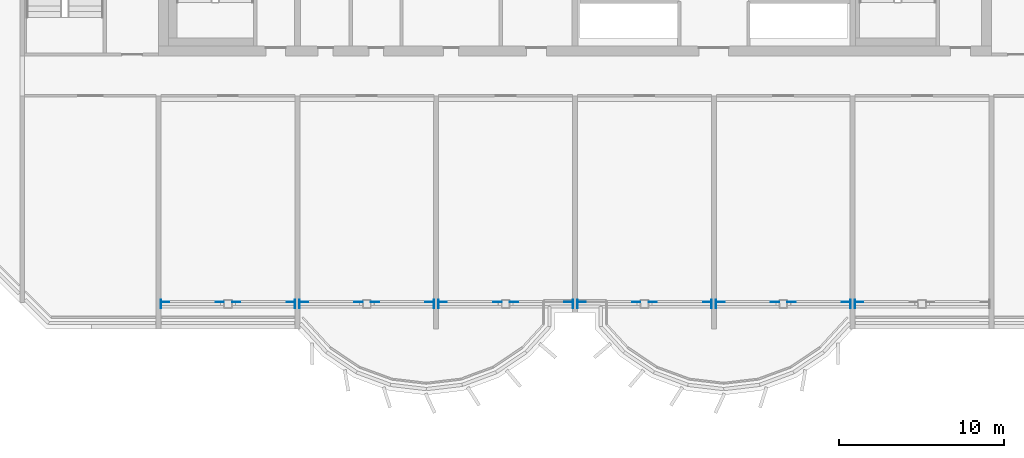
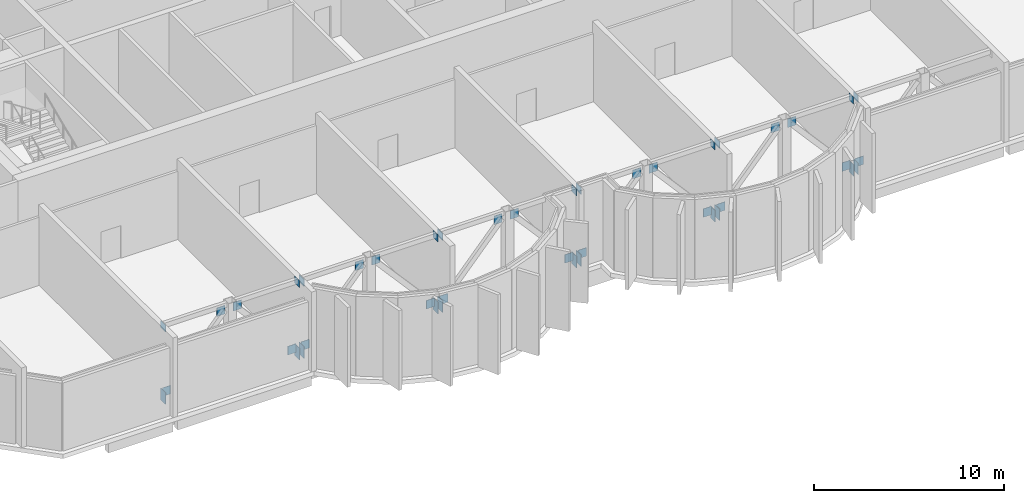
# One storey, part 6 of 11: 43 discrete accessories.
"""IFC4 building model written with IfcOpenShell, lengths in metres."""

import ifcopenshell
import ifcopenshell.guid

model = None  # the IFC model being written
_history = None  # IfcOwnerHistory: only IFC2X3 demands one
_inside = {}  # id of a spatial element -> (the spatial element, [elements in it])
_under = {}  # id of a project, library or spatial element -> (it, [spatial elements below it])
_declared = {}  # id of a project -> (the project, [libraries it declares])
_typed = {}  # id of a type object -> (the type object, [elements of that type])
_made_of = {}  # id of a material, layer set ... -> (it, [elements and type objects made of it])


def new_model(schema):
    """Start an empty IFC model of exactly this schema.

    Asked for "IFC4X3", IfcOpenShell would pick the latest addendum, in which some entities
    have other attributes; the version numbers below select the first issue.
    IFC2X3 requires an IfcOwnerHistory on every rooted entity: one is made here for all.
    """
    global model, _history
    if schema == "IFC4X3":
        model = ifcopenshell.file(schema_version=(4, 3, 0, 0))
    else:
        model = ifcopenshell.file(schema=schema)
    _inside.clear()
    _under.clear()
    _declared.clear()
    _typed.clear()
    _made_of.clear()
    _history = None
    if model.schema == "IFC2X3":
        org = make("IfcOrganization", Name="unknown")
        user = make(
            "IfcPersonAndOrganization",
            ThePerson=make("IfcPerson", FamilyName="unknown"),
            TheOrganization=org,
        )
        app = make(
            "IfcApplication",
            ApplicationDeveloper=org,
            Version="unknown",
            ApplicationFullName="unknown",
            ApplicationIdentifier="unknown",
        )
        _history = make(
            "IfcOwnerHistory",
            OwningUser=user,
            OwningApplication=app,
            ChangeAction="ADDED",
            CreationDate=0,
        )
    return model


def make(cls, **values):
    """One entity of the class cls with the attributes given. An attribute that is None is left unset."""
    return model.create_entity(
        cls, **{name: value for name, value in values.items() if value is not None}
    )


def rooted(cls, **values):
    """An entity with a GlobalId (a new one), such as an element, a storey or a relation."""
    return make(cls, GlobalId=ifcopenshell.guid.new(), OwnerHistory=_history, **values)


def si_unit(unit_type, name, prefix=None):
    """IfcSIUnit, for example si_unit("LENGTHUNIT", "METRE", prefix="MILLI")."""
    return make("IfcSIUnit", UnitType=unit_type, Prefix=prefix, Name=name)


def assignment(units):
    """IfcUnitAssignment: the units of a project."""
    return None if units is None else make("IfcUnitAssignment", Units=units)


def point(xyz):
    """IfcCartesianPoint."""
    return None if xyz is None else make("IfcCartesianPoint", Coordinates=xyz)


def direction(xyz):
    """IfcDirection."""
    return None if xyz is None else make("IfcDirection", DirectionRatios=xyz)


def frame(location, z_axis=None, x_axis=None):
    """IfcAxis2Placement3D, a coordinate frame: its origin and axes. An axis left out is left unset."""
    return make(
        "IfcAxis2Placement3D",
        Location=point(location),
        Axis=direction(z_axis),
        RefDirection=direction(x_axis),
    )


def frame_2d(location, x_axis=None):
    """IfcAxis2Placement2D, a coordinate frame in the plane: its origin and x axis."""
    return make(
        "IfcAxis2Placement2D", Location=point(location), RefDirection=direction(x_axis)
    )


def origin():
    """The frame at (0, 0, 0) with its axes left unset."""
    return frame((0.0, 0.0, 0.0))


def origin_2d():
    """The frame at (0, 0) in the plane with its x axis left unset."""
    return frame_2d((0.0, 0.0))


def place(relative_to, where):
    """IfcLocalPlacement: puts the frame where relative to a parent placement (None: the world)."""
    return make(
        "IfcLocalPlacement", PlacementRelTo=relative_to, RelativePlacement=where
    )


def context(
    kind, dimensions, precision=None, world=None, true_north=None, identifier=None
):
    """IfcGeometricRepresentationContext, for example the 3D "Model" context."""
    return make(
        "IfcGeometricRepresentationContext",
        ContextIdentifier=identifier,
        ContextType=kind,
        CoordinateSpaceDimension=dimensions,
        Precision=precision,
        WorldCoordinateSystem=world,
        TrueNorth=true_north,
    )


def subcontext(parent, identifier, kind, view, scale=None):
    """IfcGeometricRepresentationSubContext, for example "Body" below "Model"."""
    return make(
        "IfcGeometricRepresentationSubContext",
        ContextIdentifier=identifier,
        ContextType=kind,
        ParentContext=parent,
        TargetScale=scale,
        TargetView=view,
    )


def project(units=None, contexts=None):
    """IfcProject with its units and contexts."""
    return rooted(
        "IfcProject",
        Name="project",
        RepresentationContexts=contexts,
        UnitsInContext=assignment(units),
    )


def spatial(cls, under=None, at=None, **own):
    """A site, building, storey or space (cls), placed at a placement, below another one or the project."""
    s = rooted(cls, ObjectPlacement=at, **own)
    if under is not None:
        _under.setdefault(under.id(), (under, []))[1].append(s)
    return s


def profile(cls, at=None, kind="AREA", **sizes):
    """A parametric profile (cls). Its sizes go by their IFC names, for example OverallWidth=200.0."""
    return make(cls, ProfileType=kind, Position=at, **sizes)


def rectangle(**sizes):
    """IfcRectangleProfileDef."""
    return profile("IfcRectangleProfileDef", **sizes)


def extrude(swept, where, along, depth):
    """IfcExtrudedAreaSolid: the profile swept, set in the frame where, extruded along a direction by depth."""
    return make(
        "IfcExtrudedAreaSolid",
        SweptArea=swept,
        Position=where,
        ExtrudedDirection=direction(along),
        Depth=depth,
    )


def shape(context_of_items, identifier, shape_type, items):
    """IfcShapeRepresentation: the items that make up one representation, for example the "Body"."""
    return make(
        "IfcShapeRepresentation",
        ContextOfItems=context_of_items,
        RepresentationIdentifier=identifier,
        RepresentationType=shape_type,
        Items=items,
    )


def source(mapping_origin, context_of_items, identifier, shape_type, items):
    """IfcRepresentationMap: a shape defined once, which mapped items show again and again."""
    return make(
        "IfcRepresentationMap",
        MappingOrigin=mapping_origin,
        MappedRepresentation=shape(context_of_items, identifier, shape_type, items),
    )


def transform(
    local_origin,
    x_axis=None,
    y_axis=None,
    z_axis=None,
    scale=None,
    scale2=None,
    scale3=None,
    uniform=True,
):
    """IfcCartesianTransformationOperator3D, or its non-uniform kind. x_axis, y_axis, z_axis: its Axis1, 2, 3."""
    if uniform:
        return make(
            "IfcCartesianTransformationOperator3D",
            Axis1=direction(x_axis),
            Axis2=direction(y_axis),
            LocalOrigin=point(local_origin),
            Scale=scale,
            Axis3=direction(z_axis),
        )
    return make(
        "IfcCartesianTransformationOperator3DnonUniform",
        Axis1=direction(x_axis),
        Axis2=direction(y_axis),
        LocalOrigin=point(local_origin),
        Scale=scale,
        Axis3=direction(z_axis),
        Scale2=scale2,
        Scale3=scale3,
    )


def mapped(mapping_source, mapping_target):
    """IfcMappedItem: shows the shape of a source again, moved by a transform."""
    return make(
        "IfcMappedItem", MappingSource=mapping_source, MappingTarget=mapping_target
    )


def material(Name=None, Category=None):
    """IfcMaterial."""
    return make("IfcMaterial", Name=Name, Category=Category)


def layer(
    of_material, thickness, ventilated=None, Name=None, Category=None, Priority=None
):
    """IfcMaterialLayer: one layer of a wall or slab, of a material (None: an air gap)."""
    return make(
        "IfcMaterialLayer",
        Material=of_material,
        LayerThickness=thickness,
        IsVentilated=ventilated,
        Name=Name,
        Category=Category,
        Priority=Priority,
    )


def layer_set(layers, Name=None):
    """IfcMaterialLayerSet."""
    return make("IfcMaterialLayerSet", MaterialLayers=layers, LayerSetName=Name)


def made_of(thing, what):
    """Note that an element or type object is made of a material, layer set ...; save() writes the relation."""
    if what is not None:
        _made_of.setdefault(what.id(), (what, []))[1].append(thing)
    return thing


def type_object(cls, material=None, **own):
    """A type object (cls), such as IfcWallType, which elements share."""
    return made_of(rooted(cls, **own), material)


def element(
    cls,
    number,
    at=None,
    inside=None,
    cuts=None,
    type_object=None,
    material=None,
    context=None,
    identifier="Body",
    shape_type=None,
    held_by="IfcProductDefinitionShape",
    body=None,
    shapes=None,
    **own,
):
    """One element of the class cls, such as IfcWall. Its Tag is "e" and its number.

    at: its placement. inside: the storey or other place that contains it. cuts: it is an
    opening in that element (IfcRelVoidsElement). A single representation is given by context,
    identifier, shape_type and body (its items); several are given by shapes. held_by: the class
    of the entity that holds the representations. save() writes the other relations.
    """
    e = rooted(cls, Tag="e%d" % number, ObjectPlacement=at, **own)
    if body is not None:
        shapes = [shape(context, identifier, shape_type, body)]
    if shapes is not None:
        e.Representation = make(held_by, Representations=shapes)
    if inside is not None:
        _inside.setdefault(inside.id(), (inside, []))[1].append(e)
    if cuts is not None:
        rooted(
            "IfcRelVoidsElement", RelatingBuildingElement=cuts, RelatedOpeningElement=e
        )
    if type_object is not None:
        _typed.setdefault(type_object.id(), (type_object, []))[1].append(e)
    return made_of(e, material)


def aggregate(whole, parts):
    """IfcRelAggregates: a whole, such as a stair, and the parts it consists of."""
    return rooted("IfcRelAggregates", RelatingObject=whole, RelatedObjects=parts)


def save(model, path):
    """Write the relations noted so far, then the file.

    IfcRelAggregates (storeys below a building ...), IfcRelContainedInSpatialStructure (elements
    in a storey), IfcRelDefinesByType, IfcRelAssociatesMaterial and IfcRelDeclares: one each for
    every whole, place, type object, material and project.
    """
    for whole, parts in _under.values():
        aggregate(whole, parts)
    for where, things in _inside.values():
        rooted(
            "IfcRelContainedInSpatialStructure",
            RelatedElements=things,
            RelatingStructure=where,
        )
    for kind, things in _typed.values():
        rooted("IfcRelDefinesByType", RelatedObjects=things, RelatingType=kind)
    for what, things in _made_of.values():
        rooted("IfcRelAssociatesMaterial", RelatedObjects=things, RelatingMaterial=what)
    for by, libraries in _declared.values():
        rooted("IfcRelDeclares", RelatingContext=by, RelatedDefinitions=libraries)
    model.write(path)


model = new_model("IFC4")

# Units and contexts
model_context = context("Model", 3, precision=1e-05, world=origin(), true_north=direction((0.0, 1.0)))
body_context = subcontext(model_context, "Body", "Model", "MODEL_VIEW")
ifc_project = project(units=[si_unit("LENGTHUNIT", "METRE"), si_unit("AREAUNIT", "SQUARE_METRE"), si_unit("VOLUMEUNIT", "CUBIC_METRE"), si_unit("PLANEANGLEUNIT", "RADIAN"), si_unit("MASSUNIT", "GRAM", prefix="KILO")], contexts=[model_context])

# Site, building, storey
site_placement = place(None, origin())
site = spatial("IfcSite", under=ifc_project, at=site_placement, CompositionType="ELEMENT")
building_placement = place(site_placement, origin())
building = spatial("IfcBuilding", under=site, at=building_placement, Name="Vanashikhar Sky Hotel", CompositionType="ELEMENT")
storey_placement = place(building_placement, frame((0.0, 0.0, 264.699951171875)))
storey = spatial("IfcBuildingStorey", under=building, at=storey_placement, Name="L64", CompositionType="ELEMENT", Elevation=264.699951171875)

# Discrete accessories
ifc_material = material(Name="Steel S355", Category="steel")
ifc_layer_1 = layer(ifc_material, 0.030029296875)
ifc_layer_set_1 = layer_set([ifc_layer_1], Name="Cast-in anchor plate 500x750x30")
discrete_accessory_type_1 = type_object("IfcDiscreteAccessoryType", Name="Cast-in anchor plate 500x750x30", PredefinedType="ANCHORPLATE", material=ifc_layer_set_1)
shared_shape_1 = source(origin(), body_context, "Body", "SweptSolid", [
    extrude(rectangle(XDim=0.030029296875, YDim=0.5, at=origin_2d()), origin(), (0.0, 0.0, 1.0), 0.75),
])
for number, where, z_axis, x_axis, name in (
    (1, (25.3349609375, 7.0, 0.025146484375), (0.0, 0.0, 1.0), (1.0, 0.0, 0.0), "EP-L64-F01AB"),
    (2, (33.465087890625, 7.0, 0.025146484375), (0.0, 0.0, 1.0), (1.0, 0.0, 0.0), "EP-L64-F01BB"),
    (3, (33.735107421875, 7.0, 0.025146484375), (0.0, 0.0, 1.0), (1.0, 0.0, 0.0), "EP-L64-F02AB"),
    (4, (41.864990234375, 7.0, 0.025146484375), (0.0, 0.0, 1.0), (1.0, 0.0, 0.0), "EP-L64-F02BB"),
    (5, (42.135009765625, 7.0, 0.025146484375), (0.0, 0.0, 1.0), (1.0, 0.0, 0.0), "EP-L64-F03AB"),
    (6, (50.264892578125, 7.0, 0.025146484375), (0.0, 0.0, 1.0), (1.0, 0.0, 0.0), "EP-L64-F03BB"),
    (7, (50.534912109375, 7.0, 0.025146484375), (0.0, 0.0, 1.0), (1.0, 0.0, 0.0), "EP-L64-F04AB"),
    (8, (58.6650390625, 7.0, 0.025146484375), (0.0, 0.0, 1.0), (1.0, 0.0, 0.0), "EP-L64-F04BB"),
    (9, (58.93505859375, 7.0, 0.025146484375), (0.0, 0.0, 1.0), (1.0, 0.0, 0.0), "EP-L64-F05AB"),
    (10, (67.06494140625, 7.0, 0.025146484375), (0.0, 0.0, 1.0), (1.0, 0.0, 0.0), "EP-L64-F05BB"),
    (11, (67.3349609375, 7.0, 0.025146484375), (0.0, 0.0, 1.0), (1.0, 0.0, 0.0), "EP-L64-F06AB"),
):
    element("IfcDiscreteAccessory", number, at=place(storey_placement, frame(where, z_axis=z_axis, x_axis=x_axis)), inside=storey, type_object=discrete_accessory_type_1, Name=name, PredefinedType="ANCHORPLATE", context=body_context, shape_type="MappedRepresentation", body=[
        mapped(shared_shape_1, transform((0.0, 0.0, 0.0), scale=1.0)),
    ])
ifc_layer_2 = layer(ifc_material, 0.030029296875)
ifc_layer_set_2 = layer_set([ifc_layer_2], Name="Cast-in anchor plate 500x450x30")
discrete_accessory_type_2 = type_object("IfcDiscreteAccessoryType", Name="Cast-in anchor plate 500x450x30", PredefinedType="ANCHORPLATE", material=ifc_layer_set_2)
shared_shape_2 = source(origin(), body_context, "Body", "SweptSolid", [
    extrude(rectangle(XDim=0.030029296875, YDim=0.5, at=origin_2d()), origin(), (0.0, 0.0, 1.0), 0.449951171875),
])
for number, where, z_axis, x_axis, name in (
    (12, (25.3349609375, 7.0, 4.64501953125), (0.0, 0.0, 1.0), (1.0, 0.0, 0.0), "EP-L64-F01AT"),
    (13, (33.465087890625, 7.0, 4.64501953125), (0.0, 0.0, 1.0), (1.0, 0.0, 0.0), "EP-L64-F01BT"),
    (14, (33.735107421875, 7.0, 4.64501953125), (0.0, 0.0, 1.0), (1.0, 0.0, 0.0), "EP-L64-F02AT"),
    (15, (41.864990234375, 7.0, 4.64501953125), (0.0, 0.0, 1.0), (1.0, 0.0, 0.0), "EP-L64-F02BT"),
    (16, (42.135009765625, 7.0, 4.64501953125), (0.0, 0.0, 1.0), (1.0, 0.0, 0.0), "EP-L64-F03AT"),
    (17, (50.264892578125, 7.0, 4.64501953125), (0.0, 0.0, 1.0), (1.0, 0.0, 0.0), "EP-L64-F03BT"),
    (18, (50.534912109375, 7.0, 4.64501953125), (0.0, 0.0, 1.0), (1.0, 0.0, 0.0), "EP-L64-F04AT"),
    (19, (58.6650390625, 7.0, 4.64501953125), (0.0, 0.0, 1.0), (1.0, 0.0, 0.0), "EP-L64-F04BT"),
    (20, (58.93505859375, 7.0, 4.64501953125), (0.0, 0.0, 1.0), (1.0, 0.0, 0.0), "EP-L64-F05AT"),
    (21, (67.06494140625, 7.0, 4.64501953125), (0.0, 0.0, 1.0), (1.0, 0.0, 0.0), "EP-L64-F05BT"),
    (22, (67.3349609375, 7.0, 4.64501953125), (0.0, 0.0, 1.0), (1.0, 0.0, 0.0), "EP-L64-F06AT"),
):
    element("IfcDiscreteAccessory", number, at=place(storey_placement, frame(where, z_axis=z_axis, x_axis=x_axis)), inside=storey, type_object=discrete_accessory_type_2, Name=name, PredefinedType="ANCHORPLATE", context=body_context, shape_type="MappedRepresentation", body=[
        mapped(shared_shape_2, transform((0.0, 0.0, 0.0), scale=1.0)),
    ])
ifc_layer_3 = layer(ifc_material, 0.02490234375)
ifc_layer_set_3 = layer_set([ifc_layer_3], Name="Truss gusset plate 500x550x25")
discrete_accessory_type_3 = type_object("IfcDiscreteAccessoryType", Name="Truss gusset plate 500x550x25", PredefinedType="BRACKET", material=ifc_layer_set_3)
shared_shape_3 = source(origin(), body_context, "Body", "SweptSolid", [
    extrude(rectangle(XDim=0.5, YDim=0.02490234375, at=origin_2d()), origin(), (0.0, 0.0, 1.0), 0.550048828125),
])
for number, where, z_axis, x_axis, name in (
    (23, (25.60009765625, 7.112548828125, 0.2998046875), (0.0, 0.0, 1.0), (1.0, 0.0, 0.0), "GS-L64-F01LA"),
    (24, (28.89990234375, 7.112548828125, 4.27001953125), (0.0, 0.0, 1.0), (1.0, 0.0, 0.0), "GS-L64-F01LB"),
    (25, (33.199951171875, 7.112548828125, 0.2998046875), (0.0, 0.0, 1.0), (1.0, 0.0, 0.0), "GS-L64-F01RA"),
    (26, (29.89990234375, 7.112548828125, 4.27001953125), (0.0, 0.0, 1.0), (1.0, 0.0, 0.0), "GS-L64-F01RB"),
    (27, (34.0, 7.112548828125, 0.2998046875), (0.0, 0.0, 1.0), (1.0, 0.0, 0.0), "GS-L64-F02LA"),
    (28, (37.300048828125, 7.112548828125, 4.27001953125), (0.0, 0.0, 1.0), (1.0, 0.0, 0.0), "GS-L64-F02LB"),
    (29, (41.60009765625, 7.112548828125, 0.2998046875), (0.0, 0.0, 1.0), (1.0, 0.0, 0.0), "GS-L64-F02RA"),
    (30, (38.300048828125, 7.112548828125, 4.27001953125), (0.0, 0.0, 1.0), (1.0, 0.0, 0.0), "GS-L64-F02RB"),
    (31, (42.39990234375, 7.112548828125, 0.2998046875), (0.0, 0.0, 1.0), (1.0, 0.0, 0.0), "GS-L64-F03LA"),
    (32, (45.699951171875, 7.112548828125, 4.27001953125), (0.0, 0.0, 1.0), (1.0, 0.0, 0.0), "GS-L64-F03LB"),
    (33, (50.0, 7.112548828125, 0.2998046875), (0.0, 0.0, 1.0), (1.0, 0.0, 0.0), "GS-L64-F03RA"),
    (34, (46.699951171875, 7.112548828125, 4.27001953125), (0.0, 0.0, 1.0), (1.0, 0.0, 0.0), "GS-L64-F03RB"),
    (35, (50.800048828125, 7.112548828125, 0.2998046875), (0.0, 0.0, 1.0), (1.0, 0.0, 0.0), "GS-L64-F04LA"),
    (36, (54.10009765625, 7.112548828125, 4.27001953125), (0.0, 0.0, 1.0), (1.0, 0.0, 0.0), "GS-L64-F04LB"),
    (37, (58.39990234375, 7.112548828125, 0.2998046875), (0.0, 0.0, 1.0), (1.0, 0.0, 0.0), "GS-L64-F04RA"),
    (38, (55.10009765625, 7.112548828125, 4.27001953125), (0.0, 0.0, 1.0), (1.0, 0.0, 0.0), "GS-L64-F04RB"),
    (39, (59.199951171875, 7.112548828125, 0.2998046875), (0.0, 0.0, 1.0), (1.0, 0.0, 0.0), "GS-L64-F05LA"),
    (40, (62.5, 7.112548828125, 4.27001953125), (0.0, 0.0, 1.0), (1.0, 0.0, 0.0), "GS-L64-F05LB"),
    (41, (66.800048828125, 7.112548828125, 0.2998046875), (0.0, 0.0, 1.0), (1.0, 0.0, 0.0), "GS-L64-F05RA"),
    (42, (63.5, 7.112548828125, 4.27001953125), (0.0, 0.0, 1.0), (1.0, 0.0, 0.0), "GS-L64-F05RB"),
    (43, (67.60009765625, 7.112548828125, 0.2998046875), (0.0, 0.0, 1.0), (1.0, 0.0, 0.0), "GS-L64-F06LA"),
):
    element("IfcDiscreteAccessory", number, at=place(storey_placement, frame(where, z_axis=z_axis, x_axis=x_axis)), inside=storey, type_object=discrete_accessory_type_3, Name=name, PredefinedType="BRACKET", context=body_context, shape_type="MappedRepresentation", body=[
        mapped(shared_shape_3, transform((0.0, 0.0, 0.0), scale=1.0)),
    ])

save(model, "model.ifc")
